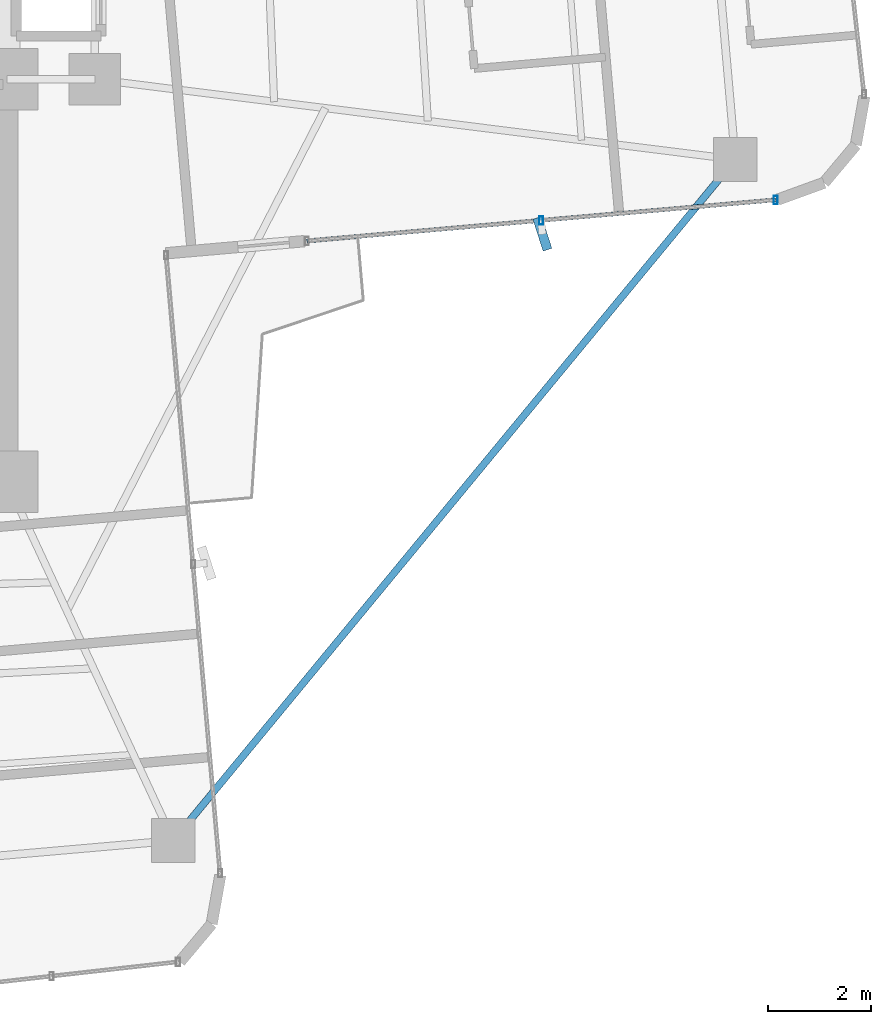
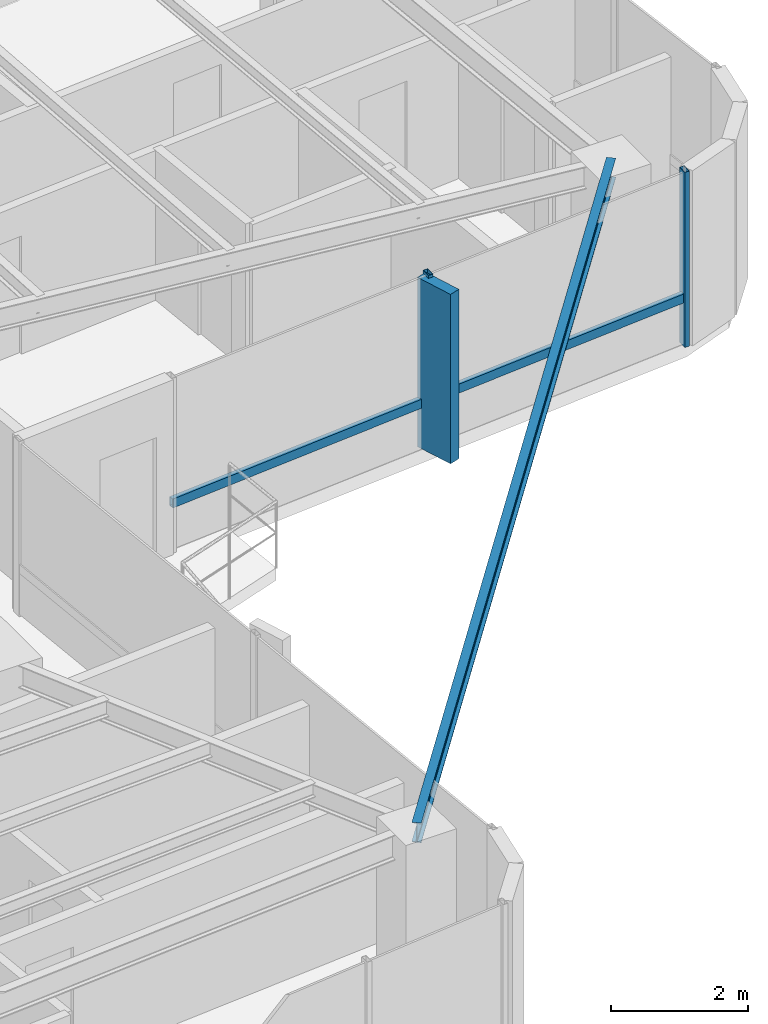
# One storey, part 13 of 24: 5 members, 1 beam, 1 element without a shape of its own.
"""IFC4 building model written with IfcOpenShell, lengths in metres."""

from ifc_helpers import new_model, si_unit, direction, frame, origin, origin_2d, place, context, subcontext, project, spatial, rectangle, hollow_rectangle, i_section, extrude, source, transform, mapped, material, material_profile, profile_set, type_object, element, aggregate, save


model = new_model("IFC4")

# Units and contexts
model_context = context("Model", 3, precision=1e-05, world=origin(), true_north=direction((0.0, 1.0)))
body_context = subcontext(model_context, "Body", "Model", "MODEL_VIEW")
ifc_project = project(units=[si_unit("LENGTHUNIT", "METRE"), si_unit("AREAUNIT", "SQUARE_METRE"), si_unit("VOLUMEUNIT", "CUBIC_METRE"), si_unit("PLANEANGLEUNIT", "RADIAN"), si_unit("MASSUNIT", "GRAM", prefix="KILO")], contexts=[model_context])

# Site, building, storey
site_placement = place(None, origin())
site = spatial("IfcSite", under=ifc_project, at=site_placement, CompositionType="ELEMENT")
building_placement = place(site_placement, origin())
building = spatial("IfcBuilding", under=site, at=building_placement, Name="Sahyath Konkavel Grand Hotel", CompositionType="ELEMENT")
storey_placement = place(building_placement, frame((0.0, 0.0, 164.0)))
storey = spatial("IfcBuildingStorey", under=building, at=storey_placement, Name="L45", CompositionType="ELEMENT", Elevation=164.0)

# Beam
ifc_material_1 = material(Name="Steel E350", Category="steel")
ifc_material_profile_1 = material_profile(ifc_material_1, i_section(OverallWidth=0.139892578125, OverallDepth=0.35009765625, WebThickness=0.008056640625, FlangeThickness=0.01416015625, FilletRadius=0.013916015625, at=origin_2d()), Name="ISMB 350")
ifc_profile_set_1 = profile_set([ifc_material_profile_1], Name="Steel E350")
beam_type = type_object("IfcBeamType", Name="BM-ISMB350", PredefinedType="BEAM", material=ifc_profile_set_1)
shared_shape_1 = source(origin(), body_context, "Body", "SweptSolid", [
    extrude(i_section(OverallWidth=0.139892578125, OverallDepth=0.35009765625, WebThickness=0.008056640625, FlangeThickness=0.01416015625, FilletRadius=0.013916015625, at=origin_2d()), origin(), (0.0, 0.0, 1.0), 17.112548828125),
])
beam_placement = place(storey_placement, frame((17.912841796875, -3.953857421875, 2.93505859375), z_axis=(-0.636437070092, -0.77132863023, 0.0), x_axis=(0.77132863023, -0.636437070092, 0.0)))
element("IfcBeam", 1, at=beam_placement, inside=storey, type_object=beam_type, Name="L45 Re-Entrant Tie Beam SE", PredefinedType="BEAM", context=body_context, shape_type="MappedRepresentation", body=[
    mapped(shared_shape_1, transform((0.0, 0.0, 0.0), scale=1.0)),
])

# Curtain wall, members
ifc_material_2 = material(Name="Anodised Bronze Aluminium & Low-E Glazing", Category="aluminium")
curtain_wall_type = type_object("IfcCurtainWallType", Name="CW-ZONE3", PredefinedType="NOTDEFINED", material=ifc_material_2)
curtain_wall_placement = place(storey_placement, origin())
curtain_wall = element("IfcCurtainWall", 2, at=curtain_wall_placement, inside=storey, type_object=curtain_wall_type, Name="L45 Unitised Curtain Wall F0", PredefinedType="NOTDEFINED")
ifc_material_3 = material(Name="Warm Buff Sandstone Cladding on Concrete C50/60", Category="masonry")
ifc_material_profile_2 = material_profile(ifc_material_3, rectangle(XDim=0.179931640625, YDim=0.64990234375, at=origin_2d()), Name="FIN 180x650")
ifc_profile_set_2 = profile_set([ifc_material_profile_2], Name="Warm Buff Sandstone Cladding on Concrete C50/60")
member_type_1 = type_object("IfcMemberType", Name="FIN-SANDSTONE-650", PredefinedType="MULLION", material=ifc_profile_set_2)
shared_shape_2 = source(origin(), body_context, "Body", "SweptSolid", [
    extrude(rectangle(XDim=0.179931640625, YDim=0.64990234375, at=origin_2d()), origin(), (0.0, 0.0, 1.0), 3.010009765625),
])
member_1_placement = place(storey_placement, frame((14.17431640625, -5.39501953125, 0.050048828125), z_axis=(0.0, 0.0, 1.0), x_axis=(0.952236042525, 0.30536293049, 0.0)))
member_1 = element("IfcMember", 3, at=member_1_placement, type_object=member_type_1, Name="L45 Sandstone Vertical Solar Fin FIN F0-1", PredefinedType="MULLION", context=body_context, shape_type="MappedRepresentation", body=[
    mapped(shared_shape_2, transform((0.0, 0.0, 0.0), scale=1.0)),
])
ifc_material_4 = material(Name="Anodised Bronze Aluminium", Category="aluminium")
ifc_material_profile_3 = material_profile(ifc_material_4, hollow_rectangle(XDim=0.080078125, YDim=0.159912109375, WallThickness=0.006103515625, at=origin_2d()), Name="RHS 160x80x6")
ifc_profile_set_3 = profile_set([ifc_material_profile_3], Name="Anodised Bronze Aluminium")
member_type_2 = type_object("IfcMemberType", Name="CW-MUL-160", PredefinedType="MULLION", material=ifc_profile_set_3)
shared_shape_3 = source(origin(), body_context, "Body", "SweptSolid", [
    extrude(hollow_rectangle(XDim=0.080078125, YDim=0.159912109375, WallThickness=0.006103515625, at=origin_2d()), origin(), (0.0, 0.0, 1.0), 3.110107421875),
])
member_2_placement = place(storey_placement, frame((14.151611328125, -5.135986328125, 0.0), z_axis=(0.0, 0.0, 1.0), x_axis=(1.0, 0.0, 0.0)))
member_2 = element("IfcMember", 4, at=member_2_placement, type_object=member_type_2, Name="L45 Curtain Wall Mullion F0-1", PredefinedType="MULLION", context=body_context, shape_type="MappedRepresentation", body=[
    mapped(shared_shape_3, transform((0.0, 0.0, 0.0), scale=1.0)),
])
member_3_placement = place(storey_placement, frame((18.694091796875, -4.73876953125, 0.0), z_axis=(0.0, 0.0, 1.0), x_axis=(1.0, 0.0, 0.0)))
member_3 = element("IfcMember", 5, at=member_3_placement, type_object=member_type_2, Name="L45 Curtain Wall Mullion F0-2", PredefinedType="MULLION", context=body_context, shape_type="MappedRepresentation", body=[
    mapped(shared_shape_3, transform((0.0, 0.0, 0.0), scale=1.0)),
])
ifc_material_profile_4 = material_profile(ifc_material_4, hollow_rectangle(XDim=0.080078125, YDim=0.159912109375, WallThickness=0.006103515625, at=origin_2d()), Name="RHS 160x80x6")
ifc_profile_set_4 = profile_set([ifc_material_profile_4], Name="Anodised Bronze Aluminium")
member_type_3 = type_object("IfcMemberType", Name="CW-TRN-160", PredefinedType="USERDEFINED", material=ifc_profile_set_4)
shared_shape_4 = source(origin(), body_context, "Body", "SweptSolid", [
    extrude(hollow_rectangle(XDim=0.080078125, YDim=0.159912109375, WallThickness=0.006103515625, at=origin_2d()), origin(), (0.0, 0.0, 1.0), 4.56005859375),
])
member_4_placement = place(storey_placement, frame((9.60888671875, -5.53369140625, 0.85009765625), z_axis=(0.996189590376, 0.087214104516, 0.0), x_axis=(-0.087214104516, 0.996189590376, 0.0)))
member_4 = element("IfcMember", 6, at=member_4_placement, type_object=member_type_3, Name="L45 Curtain Wall Transom F0-0-spandrel", ObjectType="TRANSOM", PredefinedType="USERDEFINED", context=body_context, shape_type="MappedRepresentation", body=[
    mapped(shared_shape_4, transform((0.0, 0.0, 0.0), scale=1.0)),
])
shared_shape_5 = source(origin(), body_context, "Body", "SweptSolid", [
    extrude(hollow_rectangle(XDim=0.080078125, YDim=0.159912109375, WallThickness=0.006103515625, at=origin_2d()), origin(), (0.0, 0.0, 1.0), 4.559814453125),
])
member_5_placement = place(storey_placement, frame((14.151611328125, -5.135986328125, 0.85009765625), z_axis=(0.99619848155, 0.087112486804, 0.0), x_axis=(-0.087112486804, 0.99619848155, 0.0)))
member_5 = element("IfcMember", 7, at=member_5_placement, type_object=member_type_3, Name="L45 Curtain Wall Transom F0-1-spandrel", ObjectType="TRANSOM", PredefinedType="USERDEFINED", context=body_context, shape_type="MappedRepresentation", body=[
    mapped(shared_shape_5, transform((0.0, 0.0, 0.0), scale=1.0)),
])
aggregate(curtain_wall, [member_2, member_1, member_3, member_4, member_5])

save(model, "model.ifc")
